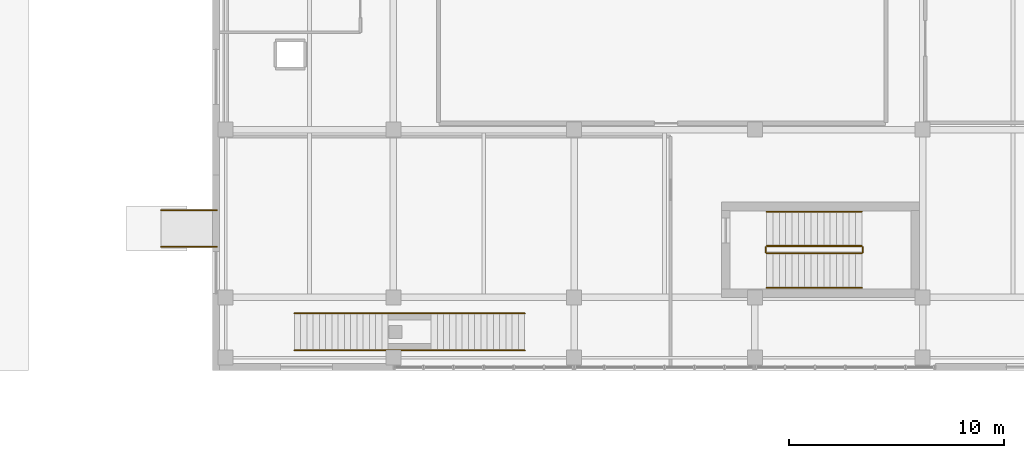
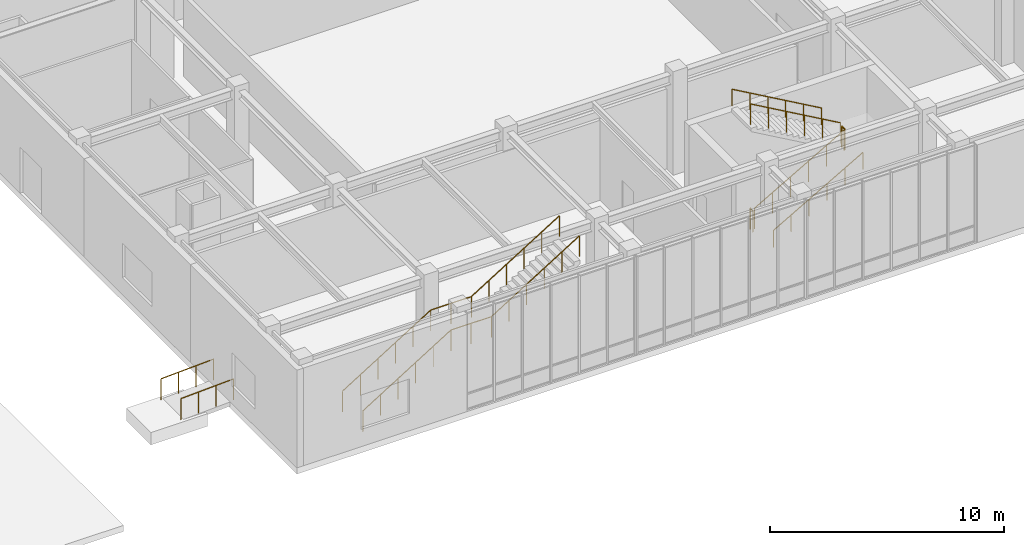
# One storey, part 117 of 122: 10 railings.
"""IFC4 building model written with IfcOpenShell, lengths in metres."""

from ifc_helpers import new_model, si_unit, direction, frame, origin, origin_2d, place, context, subcontext, project, spatial, circle, extrude, material, type_object, element, save


model = new_model("IFC4")

# Units and contexts
model_context = context("Model", 3, precision=1e-05, world=origin(), true_north=direction((0.0, 1.0)))
body_context = subcontext(model_context, "Body", "Model", "MODEL_VIEW")
ifc_project = project(units=[si_unit("LENGTHUNIT", "METRE"), si_unit("AREAUNIT", "SQUARE_METRE"), si_unit("VOLUMEUNIT", "CUBIC_METRE"), si_unit("PLANEANGLEUNIT", "RADIAN"), si_unit("MASSUNIT", "GRAM", prefix="KILO")], contexts=[model_context])

# Site, building, storey
site_placement = place(None, origin())
site = spatial("IfcSite", under=ifc_project, at=site_placement, CompositionType="ELEMENT")
building_placement = place(site_placement, origin())
building = spatial("IfcBuilding", under=site, at=building_placement, Name="Zayran Congress Hotel", CompositionType="ELEMENT")
storey_placement = place(building_placement, origin())
storey = spatial("IfcBuildingStorey", under=building, at=storey_placement, Name="L00", CompositionType="ELEMENT", Elevation=0.0)

# Railings
ifc_material_1 = material(Name="Warm bronze anodised aluminium balustrade", Category="aluminium")
railing_type_1 = type_object("IfcRailingType", Name="TP-GRD-EXT", PredefinedType="GUARDRAIL", material=ifc_material_1)
for number, where, name in (
    (1, (148.800048828125, 11.75, -0.1201171875), "HND-RMP-04-L"),
    (2, (148.800048828125, 13.449951171875, -0.1201171875), "HND-RMP-04-R"),
):
    element("IfcRailing", number, at=place(storey_placement, frame(where)), inside=storey, type_object=railing_type_1, Name=name, PredefinedType="GUARDRAIL", context=body_context, shape_type="SweptSolid", body=[
        extrude(circle(Radius=0.02392578125, at=origin_2d()), frame((0.0, 0.0, 1.09619140625), z_axis=(0.998934415345, 0.0, 0.046152289638), x_axis=(0.0, 1.0, 0.0)), (0.0, 0.0, 1.0), 2.6025390625),
        extrude(circle(Radius=0.02099609375, at=origin_2d()), origin(), (0.0, 0.0, 1.0), 1.072021484375),
        extrude(circle(Radius=0.02099609375, at=origin_2d()), frame((0.86669921875, 0.0, 0.0400390625)), (0.0, 0.0, 1.0), 1.072021484375),
        extrude(circle(Radius=0.02099609375, at=origin_2d()), frame((1.733154296875, 0.0, 0.080078125)), (0.0, 0.0, 1.0), 1.072021484375),
        extrude(circle(Radius=0.02099609375, at=origin_2d()), frame((2.599853515625, 0.0, 0.1201171875)), (0.0, 0.0, 1.0), 1.072021484375),
    ])
ifc_material_2 = material(Name="Painted steel balustrade", Category="steel")
railing_type_2 = type_object("IfcRailingType", Name="TP-GRD-INT", PredefinedType="GUARDRAIL", material=ifc_material_2)
railing_1_placement = place(storey_placement, frame((176.949951171875, 11.449951171875, 0.168701171875)))
element("IfcRailing", 3, at=railing_1_placement, inside=storey, type_object=railing_type_2, Name="L00 ST-12 stair guard 1", PredefinedType="GUARDRAIL", context=body_context, shape_type="SweptSolid", body=[
    extrude(circle(Radius=0.02392578125, at=origin_2d()), frame((0.0, 0.0, 1.076171875), z_axis=(0.868019072493, 0.0, 0.49653085482), x_axis=(0.0, 1.0, 0.0)), (0.0, 0.0, 1.0), 5.097900390625),
    extrude(circle(Radius=0.02099609375, at=origin_2d()), origin(), (0.0, 0.0, 1.0), 1.052001953125),
    extrude(circle(Radius=0.02099609375, at=origin_2d()), frame((0.885009765625, 0.0, 0.50634765625)), (0.0, 0.0, 1.0), 1.052001953125),
    extrude(circle(Radius=0.02099609375, at=origin_2d()), frame((1.77001953125, 0.0, 1.012451171875)), (0.0, 0.0, 1.0), 1.052001953125),
    extrude(circle(Radius=0.02099609375, at=origin_2d()), frame((2.655029296875, 0.0, 1.518798828125)), (0.0, 0.0, 1.0), 1.052001953125),
    extrude(circle(Radius=0.02099609375, at=origin_2d()), frame((3.5400390625, 0.0, 2.02490234375)), (0.0, 0.0, 1.0), 1.052001953125),
    extrude(circle(Radius=0.02099609375, at=origin_2d()), frame((4.425048828125, 0.0, 2.53125)), (0.0, 0.0, 1.0), 1.052001953125),
])
railing_2_placement = place(storey_placement, frame((181.425048828125, 11.5, 2.699951171875)))
element("IfcRailing", 4, at=railing_2_placement, inside=storey, type_object=railing_type_2, Name="L00 ST-12 stair guard 2", PredefinedType="GUARDRAIL", context=body_context, shape_type="SweptSolid", body=[
    extrude(circle(Radius=0.02392578125, at=origin_2d()), frame((0.0, 0.0, 1.076171875), z_axis=(0.0, 1.0, 0.0), x_axis=(-1.0, 0.0, 0.0)), (0.0, 0.0, 1.0), 0.239990234375),
    extrude(circle(Radius=0.02099609375, at=origin_2d()), origin(), (0.0, 0.0, 1.0), 1.052001953125),
    extrude(circle(Radius=0.02099609375, at=origin_2d()), frame((0.0, 0.239990234375, 0.0)), (0.0, 0.0, 1.0), 1.052001953125),
])
railing_3_placement = place(storey_placement, frame((181.375, 11.7900390625, 2.86865234375)))
element("IfcRailing", 5, at=railing_3_placement, inside=storey, type_object=railing_type_2, Name="L00 ST-12 stair guard 3", PredefinedType="GUARDRAIL", context=body_context, shape_type="SweptSolid", body=[
    extrude(circle(Radius=0.02392578125, at=origin_2d()), frame((0.0, 0.0, 1.076171875), z_axis=(-0.868019072493, 0.0, 0.49653085482), x_axis=(0.0, -1.0, 0.0)), (0.0, 0.0, 1.0), 5.097900390625),
    extrude(circle(Radius=0.02099609375, at=origin_2d()), origin(), (0.0, 0.0, 1.0), 1.052001953125),
    extrude(circle(Radius=0.02099609375, at=origin_2d()), frame((-0.885009765625, 0.0, 0.50634765625)), (0.0, 0.0, 1.0), 1.052001953125),
    extrude(circle(Radius=0.02099609375, at=origin_2d()), frame((-1.77001953125, 0.0, 1.012451171875)), (0.0, 0.0, 1.0), 1.052001953125),
    extrude(circle(Radius=0.02099609375, at=origin_2d()), frame((-2.655029296875, 0.0, 1.518798828125)), (0.0, 0.0, 1.0), 1.052001953125),
    extrude(circle(Radius=0.02099609375, at=origin_2d()), frame((-3.5400390625, 0.0, 2.02490234375)), (0.0, 0.0, 1.0), 1.052001953125),
    extrude(circle(Radius=0.02099609375, at=origin_2d()), frame((-4.425048828125, 0.0, 2.53125)), (0.0, 0.0, 1.0), 1.052001953125),
])
railing_4_placement = place(storey_placement, frame((176.89990234375, 11.5, 0.0)))
element("IfcRailing", 6, at=railing_4_placement, inside=storey, type_object=railing_type_2, Name="L00 ST-12 stair guard 4", PredefinedType="GUARDRAIL", context=body_context, shape_type="SweptSolid", body=[
    extrude(circle(Radius=0.02392578125, at=origin_2d()), frame((0.0, 0.0, 1.076171875), z_axis=(0.0, 1.0, 0.0), x_axis=(-1.0, 0.0, 0.0)), (0.0, 0.0, 1.0), 0.239990234375),
    extrude(circle(Radius=0.02099609375, at=origin_2d()), origin(), (0.0, 0.0, 1.0), 1.052001953125),
    extrude(circle(Radius=0.02099609375, at=origin_2d()), frame((0.0, 0.239990234375, 0.0)), (0.0, 0.0, 1.0), 1.052001953125),
])
railing_5_placement = place(storey_placement, frame((155.0, 6.93994140625, 0.0)))
element("IfcRailing", 7, at=railing_5_placement, inside=storey, type_object=railing_type_2, Name="GRD-VOM-05-R", PredefinedType="GUARDRAIL", context=body_context, shape_type="SweptSolid", body=[
    extrude(circle(Radius=0.02392578125, at=origin_2d()), frame((0.0, 0.0, 1.076171875), z_axis=(0.849649743971, 0.0, 0.527347430608), x_axis=(0.0, 1.0, 0.0)), (0.0, 0.0, 1.0), 5.119873046875),
    extrude(circle(Radius=0.02392578125, at=origin_2d()), frame((4.35009765625, 0.0, 3.77587890625), z_axis=(1.0, 0.0, 0.0), x_axis=(0.0, 1.0, 0.0)), (0.0, 0.0, 1.0), 2.0),
    extrude(circle(Radius=0.02392578125, at=origin_2d()), frame((6.35009765625, 0.0, 3.77587890625), z_axis=(0.849636482215, 0.0, 0.527368797038), x_axis=(0.0, 1.0, 0.0)), (0.0, 0.0, 1.0), 5.11962890625),
    extrude(circle(Radius=0.02099609375, at=origin_2d()), origin(), (0.0, 0.0, 1.0), 1.052001953125),
    extrude(circle(Radius=0.02099609375, at=origin_2d()), frame((0.8701171875, 0.0, 0.5400390625)), (0.0, 0.0, 1.0), 1.052001953125),
    extrude(circle(Radius=0.02099609375, at=origin_2d()), frame((1.739990234375, 0.0, 1.080078125)), (0.0, 0.0, 1.0), 1.052001953125),
    extrude(circle(Radius=0.02099609375, at=origin_2d()), frame((2.610107421875, 0.0, 1.619873046875)), (0.0, 0.0, 1.0), 1.052001953125),
    extrude(circle(Radius=0.02099609375, at=origin_2d()), frame((3.47998046875, 0.0, 2.159912109375)), (0.0, 0.0, 1.0), 1.052001953125),
    extrude(circle(Radius=0.02099609375, at=origin_2d()), frame((4.35009765625, 0.0, 2.699951171875)), (0.0, 0.0, 1.0), 1.052001953125),
    extrude(circle(Radius=0.02099609375, at=origin_2d()), frame((5.35009765625, 0.0, 2.699951171875)), (0.0, 0.0, 1.0), 1.052001953125),
    extrude(circle(Radius=0.02099609375, at=origin_2d()), frame((6.35009765625, 0.0, 2.699951171875)), (0.0, 0.0, 1.0), 1.052001953125),
    extrude(circle(Radius=0.02099609375, at=origin_2d()), frame((7.219970703125, 0.0, 3.239990234375)), (0.0, 0.0, 1.0), 1.052001953125),
    extrude(circle(Radius=0.02099609375, at=origin_2d()), frame((8.090087890625, 0.0, 3.780029296875)), (0.0, 0.0, 1.0), 1.052001953125),
    extrude(circle(Radius=0.02099609375, at=origin_2d()), frame((8.9599609375, 0.0, 4.31982421875)), (0.0, 0.0, 1.0), 1.052001953125),
    extrude(circle(Radius=0.02099609375, at=origin_2d()), frame((9.830078125, 0.0, 4.85986328125)), (0.0, 0.0, 1.0), 1.052001953125),
    extrude(circle(Radius=0.02099609375, at=origin_2d()), frame((10.699951171875, 0.0, 5.39990234375)), (0.0, 0.0, 1.0), 1.052001953125),
])
railing_6_placement = place(storey_placement, frame((155.0, 8.659912109375, 0.0)))
element("IfcRailing", 8, at=railing_6_placement, inside=storey, type_object=railing_type_2, Name="GRD-VOM-05-L", PredefinedType="GUARDRAIL", context=body_context, shape_type="SweptSolid", body=[
    extrude(circle(Radius=0.02392578125, at=origin_2d()), frame((0.0, 0.0, 1.076171875), z_axis=(0.849649743971, 0.0, 0.527347430608), x_axis=(0.0, 1.0, 0.0)), (0.0, 0.0, 1.0), 5.119873046875),
    extrude(circle(Radius=0.02392578125, at=origin_2d()), frame((4.35009765625, 0.0, 3.77587890625), z_axis=(1.0, 0.0, 0.0), x_axis=(0.0, 1.0, 0.0)), (0.0, 0.0, 1.0), 2.0),
    extrude(circle(Radius=0.02392578125, at=origin_2d()), frame((6.35009765625, 0.0, 3.77587890625), z_axis=(0.849636482215, 0.0, 0.527368797038), x_axis=(0.0, 1.0, 0.0)), (0.0, 0.0, 1.0), 5.11962890625),
    extrude(circle(Radius=0.02099609375, at=origin_2d()), origin(), (0.0, 0.0, 1.0), 1.052001953125),
    extrude(circle(Radius=0.02099609375, at=origin_2d()), frame((0.8701171875, 0.0, 0.5400390625)), (0.0, 0.0, 1.0), 1.052001953125),
    extrude(circle(Radius=0.02099609375, at=origin_2d()), frame((1.739990234375, 0.0, 1.080078125)), (0.0, 0.0, 1.0), 1.052001953125),
    extrude(circle(Radius=0.02099609375, at=origin_2d()), frame((2.610107421875, 0.0, 1.619873046875)), (0.0, 0.0, 1.0), 1.052001953125),
    extrude(circle(Radius=0.02099609375, at=origin_2d()), frame((3.47998046875, 0.0, 2.159912109375)), (0.0, 0.0, 1.0), 1.052001953125),
    extrude(circle(Radius=0.02099609375, at=origin_2d()), frame((4.35009765625, 0.0, 2.699951171875)), (0.0, 0.0, 1.0), 1.052001953125),
    extrude(circle(Radius=0.02099609375, at=origin_2d()), frame((5.35009765625, 0.0, 2.699951171875)), (0.0, 0.0, 1.0), 1.052001953125),
    extrude(circle(Radius=0.02099609375, at=origin_2d()), frame((6.35009765625, 0.0, 2.699951171875)), (0.0, 0.0, 1.0), 1.052001953125),
    extrude(circle(Radius=0.02099609375, at=origin_2d()), frame((7.219970703125, 0.0, 3.239990234375)), (0.0, 0.0, 1.0), 1.052001953125),
    extrude(circle(Radius=0.02099609375, at=origin_2d()), frame((8.090087890625, 0.0, 3.780029296875)), (0.0, 0.0, 1.0), 1.052001953125),
    extrude(circle(Radius=0.02099609375, at=origin_2d()), frame((8.9599609375, 0.0, 4.31982421875)), (0.0, 0.0, 1.0), 1.052001953125),
    extrude(circle(Radius=0.02099609375, at=origin_2d()), frame((9.830078125, 0.0, 4.85986328125)), (0.0, 0.0, 1.0), 1.052001953125),
    extrude(circle(Radius=0.02099609375, at=origin_2d()), frame((10.699951171875, 0.0, 5.39990234375)), (0.0, 0.0, 1.0), 1.052001953125),
])
ifc_material_3 = material(Name="Brushed stainless steel handrail", Category="steel")
railing_type_3 = type_object("IfcRailingType", Name="TP-HND-STR", PredefinedType="HANDRAIL", material=ifc_material_3)
railing_7_placement = place(storey_placement, frame((176.949951171875, 9.85009765625, 0.168701171875)))
element("IfcRailing", 9, at=railing_7_placement, inside=storey, type_object=railing_type_3, Name="L00 ST-12 stair handrail 1", PredefinedType="HANDRAIL", context=body_context, shape_type="SweptSolid", body=[
    extrude(circle(Radius=0.02392578125, at=origin_2d()), frame((0.0, 0.0, 0.8759765625), z_axis=(0.868019072493, 0.0, 0.49653085482), x_axis=(0.0, 1.0, 0.0)), (0.0, 0.0, 1.0), 5.097900390625),
    extrude(circle(Radius=0.02099609375, at=origin_2d()), origin(), (0.0, 0.0, 1.0), 0.851806640625),
    extrude(circle(Radius=0.02099609375, at=origin_2d()), frame((0.885009765625, 0.0, 0.50634765625)), (0.0, 0.0, 1.0), 0.851806640625),
    extrude(circle(Radius=0.02099609375, at=origin_2d()), frame((1.77001953125, 0.0, 1.012451171875)), (0.0, 0.0, 1.0), 0.851806640625),
    extrude(circle(Radius=0.02099609375, at=origin_2d()), frame((2.655029296875, 0.0, 1.518798828125)), (0.0, 0.0, 1.0), 0.851806640625),
    extrude(circle(Radius=0.02099609375, at=origin_2d()), frame((3.5400390625, 0.0, 2.02490234375)), (0.0, 0.0, 1.0), 0.851806640625),
    extrude(circle(Radius=0.02099609375, at=origin_2d()), frame((4.425048828125, 0.0, 2.53125)), (0.0, 0.0, 1.0), 0.851806640625),
])
railing_8_placement = place(storey_placement, frame((181.375, 13.389892578125, 2.86865234375)))
element("IfcRailing", 10, at=railing_8_placement, inside=storey, type_object=railing_type_3, Name="L00 ST-12 stair handrail 2", PredefinedType="HANDRAIL", context=body_context, shape_type="SweptSolid", body=[
    extrude(circle(Radius=0.02392578125, at=origin_2d()), frame((0.0, 0.0, 0.8759765625), z_axis=(-0.868019072493, 0.0, 0.49653085482), x_axis=(0.0, -1.0, 0.0)), (0.0, 0.0, 1.0), 5.097900390625),
    extrude(circle(Radius=0.02099609375, at=origin_2d()), origin(), (0.0, 0.0, 1.0), 0.851806640625),
    extrude(circle(Radius=0.02099609375, at=origin_2d()), frame((-0.885009765625, 0.0, 0.50634765625)), (0.0, 0.0, 1.0), 0.851806640625),
    extrude(circle(Radius=0.02099609375, at=origin_2d()), frame((-1.77001953125, 0.0, 1.012451171875)), (0.0, 0.0, 1.0), 0.851806640625),
    extrude(circle(Radius=0.02099609375, at=origin_2d()), frame((-2.655029296875, 0.0, 1.518798828125)), (0.0, 0.0, 1.0), 0.851806640625),
    extrude(circle(Radius=0.02099609375, at=origin_2d()), frame((-3.5400390625, 0.0, 2.02490234375)), (0.0, 0.0, 1.0), 0.851806640625),
    extrude(circle(Radius=0.02099609375, at=origin_2d()), frame((-4.425048828125, 0.0, 2.53125)), (0.0, 0.0, 1.0), 0.851806640625),
])

save(model, "model.ifc")
